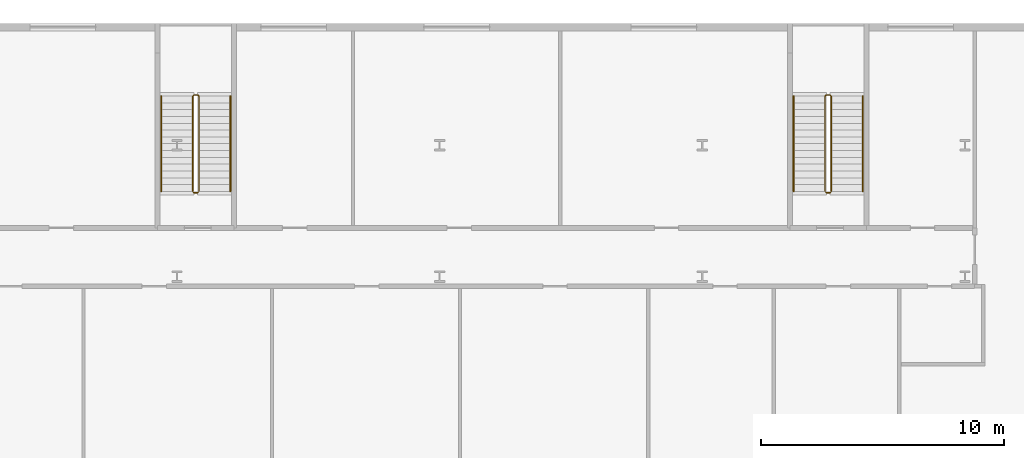
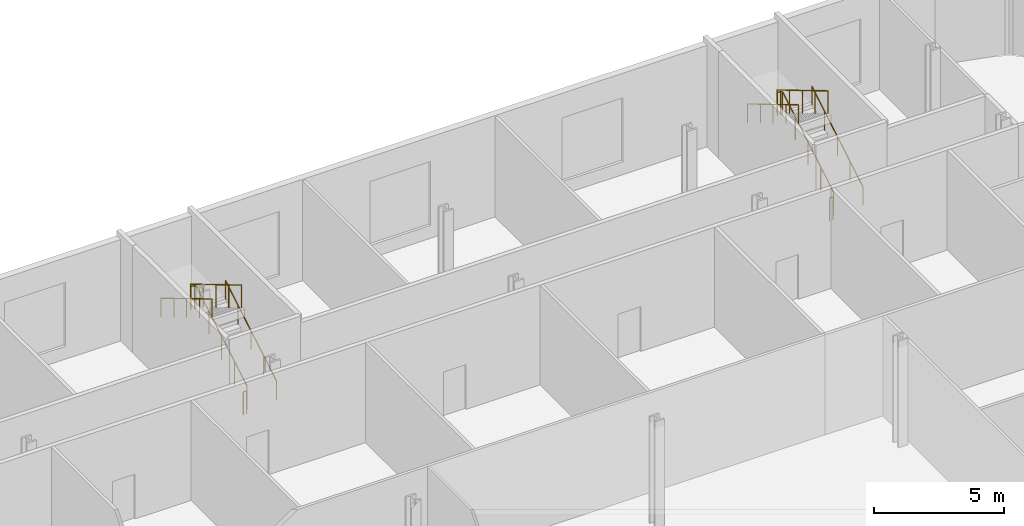
# One storey, part 47 of 47: 8 railings.
"""IFC4 building model written with IfcOpenShell, lengths in metres."""

from ifc_helpers import new_model, si_unit, direction, frame, origin, origin_2d, place, context, subcontext, project, spatial, circle, extrude, material, type_object, element, save


model = new_model("IFC4")

# Units and contexts
model_context = context("Model", 3, precision=1e-05, world=origin(), true_north=direction((0.0, 1.0)))
body_context = subcontext(model_context, "Body", "Model", "MODEL_VIEW")
ifc_project = project(units=[si_unit("LENGTHUNIT", "METRE"), si_unit("AREAUNIT", "SQUARE_METRE"), si_unit("VOLUMEUNIT", "CUBIC_METRE"), si_unit("PLANEANGLEUNIT", "RADIAN"), si_unit("MASSUNIT", "GRAM", prefix="KILO")], contexts=[model_context])

# Site, building, storey
site_placement = place(None, origin())
site = spatial("IfcSite", under=ifc_project, at=site_placement, CompositionType="ELEMENT")
building_placement = place(site_placement, origin())
building = spatial("IfcBuilding", under=site, at=building_placement, Name="Kheshtan School and Residences Tower", CompositionType="ELEMENT")
storey_placement = place(building_placement, frame((0.0, 0.0, 7.5)))
storey = spatial("IfcBuildingStorey", under=building, at=storey_placement, Name="L01", CompositionType="ELEMENT", Elevation=7.5)

# Railings
ifc_material_1 = material(Name="Stainless steel balustrade", Category="steel")
railing_type_1 = type_object("IfcRailingType", Name="Stair guard 1100", PredefinedType="GUARDRAIL", material=ifc_material_1)
railing_1_placement = place(storey_placement, frame((91.699951171875, 103.10009765625, 0.166748046875)))
element("IfcRailing", 1, at=railing_1_placement, inside=storey, type_object=railing_type_1, Name="L01 PS-090-102 stair guard 1", PredefinedType="GUARDRAIL", context=body_context, shape_type="SweptSolid", body=[
    extrude(circle(Radius=0.02392578125, at=origin_2d()), frame((0.0, 0.0, 1.076171875), z_axis=(0.0, 0.859296244711, 0.511478214419), x_axis=(-1.0, 0.0, 0.0)), (0.0, 0.0, 1.0), 4.561767578125),
    extrude(circle(Radius=0.02392578125, at=origin_2d()), frame((0.0, 3.919921875, 3.4091796875), z_axis=(-0.707106781187, 0.707106781187, 0.0), x_axis=(-0.707106781187, -0.707106781187, 0.0)), (0.0, 0.0, 1.0), 0.07080078125),
    extrude(circle(Radius=0.02392578125, at=origin_2d()), frame((-0.050048828125, 3.969970703125, 3.4091796875), z_axis=(-1.0, 0.0, 0.0), x_axis=(0.0, -1.0, 0.0)), (0.0, 0.0, 1.0), 0.14990234375),
    extrude(circle(Radius=0.02392578125, at=origin_2d()), frame((-0.199951171875, 3.969970703125, 3.4091796875), z_axis=(-0.27628659633, -0.27628659633, 0.920506074601), x_axis=(0.707106781187, -0.707106781187, 0.0)), (0.0, 0.0, 1.0), 0.18115234375),
    extrude(circle(Radius=0.02392578125, at=origin_2d()), frame((-0.25, 3.919921875, 3.576171875), z_axis=(0.0, -0.859296244711, 0.511478214419), x_axis=(1.0, 0.0, 0.0)), (0.0, 0.0, 1.0), 4.561767578125),
    extrude(circle(Radius=0.02099609375, at=origin_2d()), origin(), (0.0, 0.0, 1.0), 1.052001953125),
    extrude(circle(Radius=0.02099609375, at=origin_2d()), frame((0.0, 0.97998046875, 0.583251953125)), (0.0, 0.0, 1.0), 1.052001953125),
    extrude(circle(Radius=0.02099609375, at=origin_2d()), frame((0.0, 1.9599609375, 1.16650390625)), (0.0, 0.0, 1.0), 1.052001953125),
    extrude(circle(Radius=0.02099609375, at=origin_2d()), frame((0.0, 2.93994140625, 1.75)), (0.0, 0.0, 1.0), 1.052001953125),
    extrude(circle(Radius=0.02099609375, at=origin_2d()), frame((0.0, 3.919921875, 2.333251953125)), (0.0, 0.0, 1.0), 1.052001953125),
    extrude(circle(Radius=0.02099609375, at=origin_2d()), frame((-0.050048828125, 3.969970703125, 2.333251953125)), (0.0, 0.0, 1.0), 1.052001953125),
    extrude(circle(Radius=0.02099609375, at=origin_2d()), frame((-0.199951171875, 3.969970703125, 2.333251953125)), (0.0, 0.0, 1.0), 1.052001953125),
    extrude(circle(Radius=0.02099609375, at=origin_2d()), frame((-0.25, 3.919921875, 2.5)), (0.0, 0.0, 1.0), 1.052001953125),
    extrude(circle(Radius=0.02099609375, at=origin_2d()), frame((-0.25, 2.93994140625, 3.083251953125)), (0.0, 0.0, 1.0), 1.052001953125),
    extrude(circle(Radius=0.02099609375, at=origin_2d()), frame((-0.25, 1.9599609375, 3.66650390625)), (0.0, 0.0, 1.0), 1.052001953125),
    extrude(circle(Radius=0.02099609375, at=origin_2d()), frame((-0.25, 0.97998046875, 4.25)), (0.0, 0.0, 1.0), 1.052001953125),
    extrude(circle(Radius=0.02099609375, at=origin_2d()), frame((-0.25, 0.0, 4.833251953125)), (0.0, 0.0, 1.0), 1.052001953125),
])
railing_2_placement = place(storey_placement, frame((91.64990234375, 103.050048828125, 0.0)))
element("IfcRailing", 2, at=railing_2_placement, inside=storey, type_object=railing_type_1, Name="L01 PS-090-102 stair guard 2", PredefinedType="GUARDRAIL", context=body_context, shape_type="SweptSolid", body=[
    extrude(circle(Radius=0.02392578125, at=origin_2d()), frame((0.0, 0.0, 1.076171875), z_axis=(-1.0, 0.0, 0.0), x_axis=(0.0, -1.0, 0.0)), (0.0, 0.0, 1.0), 0.14990234375),
    extrude(circle(Radius=0.02099609375, at=origin_2d()), origin(), (0.0, 0.0, 1.0), 1.052001953125),
    extrude(circle(Radius=0.02099609375, at=origin_2d()), frame((-0.14990234375, 0.0, 0.0)), (0.0, 0.0, 1.0), 1.052001953125),
])
railing_3_placement = place(storey_placement, frame((117.699951171875, 103.10009765625, 0.166748046875)))
element("IfcRailing", 3, at=railing_3_placement, inside=storey, type_object=railing_type_1, Name="L01 PS-116-102 stair guard 1", PredefinedType="GUARDRAIL", context=body_context, shape_type="SweptSolid", body=[
    extrude(circle(Radius=0.02392578125, at=origin_2d()), frame((0.0, 0.0, 1.076171875), z_axis=(0.0, 0.859296244711, 0.511478214419), x_axis=(-1.0, 0.0, 0.0)), (0.0, 0.0, 1.0), 4.561767578125),
    extrude(circle(Radius=0.02392578125, at=origin_2d()), frame((0.0, 3.919921875, 3.4091796875), z_axis=(-0.707106781187, 0.707106781187, 0.0), x_axis=(-0.707106781187, -0.707106781187, 0.0)), (0.0, 0.0, 1.0), 0.07080078125),
    extrude(circle(Radius=0.02392578125, at=origin_2d()), frame((-0.050048828125, 3.969970703125, 3.4091796875), z_axis=(-1.0, 0.0, 0.0), x_axis=(0.0, -1.0, 0.0)), (0.0, 0.0, 1.0), 0.14990234375),
    extrude(circle(Radius=0.02392578125, at=origin_2d()), frame((-0.199951171875, 3.969970703125, 3.4091796875), z_axis=(-0.27628659633, -0.27628659633, 0.920506074601), x_axis=(0.707106781187, -0.707106781187, 0.0)), (0.0, 0.0, 1.0), 0.18115234375),
    extrude(circle(Radius=0.02392578125, at=origin_2d()), frame((-0.25, 3.919921875, 3.576171875), z_axis=(0.0, -0.859296244711, 0.511478214419), x_axis=(1.0, 0.0, 0.0)), (0.0, 0.0, 1.0), 4.561767578125),
    extrude(circle(Radius=0.02099609375, at=origin_2d()), origin(), (0.0, 0.0, 1.0), 1.052001953125),
    extrude(circle(Radius=0.02099609375, at=origin_2d()), frame((0.0, 0.97998046875, 0.583251953125)), (0.0, 0.0, 1.0), 1.052001953125),
    extrude(circle(Radius=0.02099609375, at=origin_2d()), frame((0.0, 1.9599609375, 1.16650390625)), (0.0, 0.0, 1.0), 1.052001953125),
    extrude(circle(Radius=0.02099609375, at=origin_2d()), frame((0.0, 2.93994140625, 1.75)), (0.0, 0.0, 1.0), 1.052001953125),
    extrude(circle(Radius=0.02099609375, at=origin_2d()), frame((0.0, 3.919921875, 2.333251953125)), (0.0, 0.0, 1.0), 1.052001953125),
    extrude(circle(Radius=0.02099609375, at=origin_2d()), frame((-0.050048828125, 3.969970703125, 2.333251953125)), (0.0, 0.0, 1.0), 1.052001953125),
    extrude(circle(Radius=0.02099609375, at=origin_2d()), frame((-0.199951171875, 3.969970703125, 2.333251953125)), (0.0, 0.0, 1.0), 1.052001953125),
    extrude(circle(Radius=0.02099609375, at=origin_2d()), frame((-0.25, 3.919921875, 2.5)), (0.0, 0.0, 1.0), 1.052001953125),
    extrude(circle(Radius=0.02099609375, at=origin_2d()), frame((-0.25, 2.93994140625, 3.083251953125)), (0.0, 0.0, 1.0), 1.052001953125),
    extrude(circle(Radius=0.02099609375, at=origin_2d()), frame((-0.25, 1.9599609375, 3.66650390625)), (0.0, 0.0, 1.0), 1.052001953125),
    extrude(circle(Radius=0.02099609375, at=origin_2d()), frame((-0.25, 0.97998046875, 4.25)), (0.0, 0.0, 1.0), 1.052001953125),
    extrude(circle(Radius=0.02099609375, at=origin_2d()), frame((-0.25, 0.0, 4.833251953125)), (0.0, 0.0, 1.0), 1.052001953125),
])
railing_4_placement = place(storey_placement, frame((117.64990234375, 103.050048828125, 0.0)))
element("IfcRailing", 4, at=railing_4_placement, inside=storey, type_object=railing_type_1, Name="L01 PS-116-102 stair guard 2", PredefinedType="GUARDRAIL", context=body_context, shape_type="SweptSolid", body=[
    extrude(circle(Radius=0.02392578125, at=origin_2d()), frame((0.0, 0.0, 1.076171875), z_axis=(-1.0, 0.0, 0.0), x_axis=(0.0, -1.0, 0.0)), (0.0, 0.0, 1.0), 0.14990234375),
    extrude(circle(Radius=0.02099609375, at=origin_2d()), origin(), (0.0, 0.0, 1.0), 1.052001953125),
    extrude(circle(Radius=0.02099609375, at=origin_2d()), frame((-0.14990234375, 0.0, 0.0)), (0.0, 0.0, 1.0), 1.052001953125),
])
ifc_material_2 = material(Name="Stainless steel handrail", Category="steel")
railing_type_2 = type_object("IfcRailingType", Name="Stair handrail 900", PredefinedType="HANDRAIL", material=ifc_material_2)
railing_5_placement = place(storey_placement, frame((93.0, 103.10009765625, 0.166748046875)))
element("IfcRailing", 5, at=railing_5_placement, inside=storey, type_object=railing_type_2, Name="L01 PS-090-102 stair handrail 1", PredefinedType="HANDRAIL", context=body_context, shape_type="SweptSolid", body=[
    extrude(circle(Radius=0.02392578125, at=origin_2d()), frame((0.0, 0.0, 0.8759765625), z_axis=(0.0, 0.859296244711, 0.511478214419), x_axis=(-1.0, 0.0, 0.0)), (0.0, 0.0, 1.0), 4.561767578125),
    extrude(circle(Radius=0.02099609375, at=origin_2d()), origin(), (0.0, 0.0, 1.0), 0.851806640625),
    extrude(circle(Radius=0.02099609375, at=origin_2d()), frame((0.0, 0.97998046875, 0.583251953125)), (0.0, 0.0, 1.0), 0.851806640625),
    extrude(circle(Radius=0.02099609375, at=origin_2d()), frame((0.0, 1.9599609375, 1.16650390625)), (0.0, 0.0, 1.0), 0.851806640625),
    extrude(circle(Radius=0.02099609375, at=origin_2d()), frame((0.0, 2.93994140625, 1.75)), (0.0, 0.0, 1.0), 0.851806640625),
    extrude(circle(Radius=0.02099609375, at=origin_2d()), frame((0.0, 3.919921875, 2.333251953125)), (0.0, 0.0, 1.0), 0.851806640625),
])
railing_6_placement = place(storey_placement, frame((90.14990234375, 107.02001953125, 2.666748046875)))
element("IfcRailing", 6, at=railing_6_placement, inside=storey, type_object=railing_type_2, Name="L01 PS-090-102 stair handrail 2", PredefinedType="HANDRAIL", context=body_context, shape_type="SweptSolid", body=[
    extrude(circle(Radius=0.02392578125, at=origin_2d()), frame((0.0, 0.0, 0.8759765625), z_axis=(0.0, -0.859296244711, 0.511478214419), x_axis=(1.0, 0.0, 0.0)), (0.0, 0.0, 1.0), 4.561767578125),
    extrude(circle(Radius=0.02099609375, at=origin_2d()), origin(), (0.0, 0.0, 1.0), 0.851806640625),
    extrude(circle(Radius=0.02099609375, at=origin_2d()), frame((0.0, -0.97998046875, 0.583251953125)), (0.0, 0.0, 1.0), 0.851806640625),
    extrude(circle(Radius=0.02099609375, at=origin_2d()), frame((0.0, -1.9599609375, 1.16650390625)), (0.0, 0.0, 1.0), 0.851806640625),
    extrude(circle(Radius=0.02099609375, at=origin_2d()), frame((0.0, -2.93994140625, 1.75)), (0.0, 0.0, 1.0), 0.851806640625),
    extrude(circle(Radius=0.02099609375, at=origin_2d()), frame((0.0, -3.919921875, 2.333251953125)), (0.0, 0.0, 1.0), 0.851806640625),
])
railing_7_placement = place(storey_placement, frame((119.0, 103.10009765625, 0.166748046875)))
element("IfcRailing", 7, at=railing_7_placement, inside=storey, type_object=railing_type_2, Name="L01 PS-116-102 stair handrail 1", PredefinedType="HANDRAIL", context=body_context, shape_type="SweptSolid", body=[
    extrude(circle(Radius=0.02392578125, at=origin_2d()), frame((0.0, 0.0, 0.8759765625), z_axis=(0.0, 0.859296244711, 0.511478214419), x_axis=(-1.0, 0.0, 0.0)), (0.0, 0.0, 1.0), 4.561767578125),
    extrude(circle(Radius=0.02099609375, at=origin_2d()), origin(), (0.0, 0.0, 1.0), 0.851806640625),
    extrude(circle(Radius=0.02099609375, at=origin_2d()), frame((0.0, 0.97998046875, 0.583251953125)), (0.0, 0.0, 1.0), 0.851806640625),
    extrude(circle(Radius=0.02099609375, at=origin_2d()), frame((0.0, 1.9599609375, 1.16650390625)), (0.0, 0.0, 1.0), 0.851806640625),
    extrude(circle(Radius=0.02099609375, at=origin_2d()), frame((0.0, 2.93994140625, 1.75)), (0.0, 0.0, 1.0), 0.851806640625),
    extrude(circle(Radius=0.02099609375, at=origin_2d()), frame((0.0, 3.919921875, 2.333251953125)), (0.0, 0.0, 1.0), 0.851806640625),
])
railing_8_placement = place(storey_placement, frame((116.14990234375, 107.02001953125, 2.666748046875)))
element("IfcRailing", 8, at=railing_8_placement, inside=storey, type_object=railing_type_2, Name="L01 PS-116-102 stair handrail 2", PredefinedType="HANDRAIL", context=body_context, shape_type="SweptSolid", body=[
    extrude(circle(Radius=0.02392578125, at=origin_2d()), frame((0.0, 0.0, 0.8759765625), z_axis=(0.0, -0.859296244711, 0.511478214419), x_axis=(1.0, 0.0, 0.0)), (0.0, 0.0, 1.0), 4.561767578125),
    extrude(circle(Radius=0.02099609375, at=origin_2d()), origin(), (0.0, 0.0, 1.0), 0.851806640625),
    extrude(circle(Radius=0.02099609375, at=origin_2d()), frame((0.0, -0.97998046875, 0.583251953125)), (0.0, 0.0, 1.0), 0.851806640625),
    extrude(circle(Radius=0.02099609375, at=origin_2d()), frame((0.0, -1.9599609375, 1.16650390625)), (0.0, 0.0, 1.0), 0.851806640625),
    extrude(circle(Radius=0.02099609375, at=origin_2d()), frame((0.0, -2.93994140625, 1.75)), (0.0, 0.0, 1.0), 0.851806640625),
    extrude(circle(Radius=0.02099609375, at=origin_2d()), frame((0.0, -3.919921875, 2.333251953125)), (0.0, 0.0, 1.0), 0.851806640625),
])

save(model, "model.ifc")
